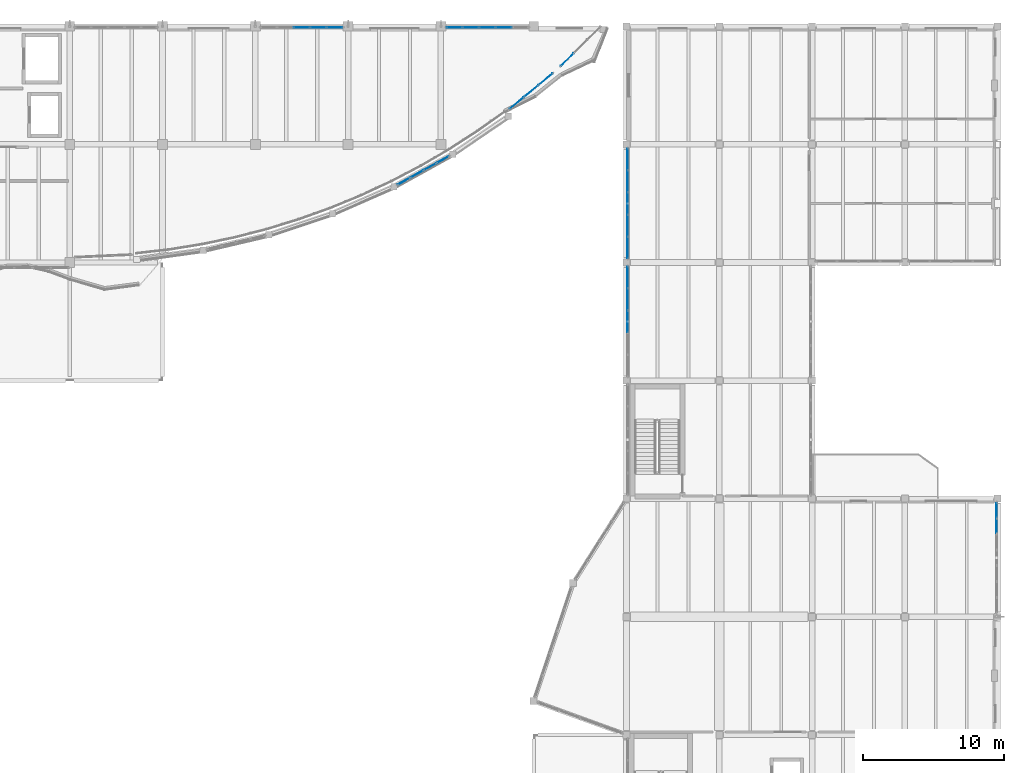
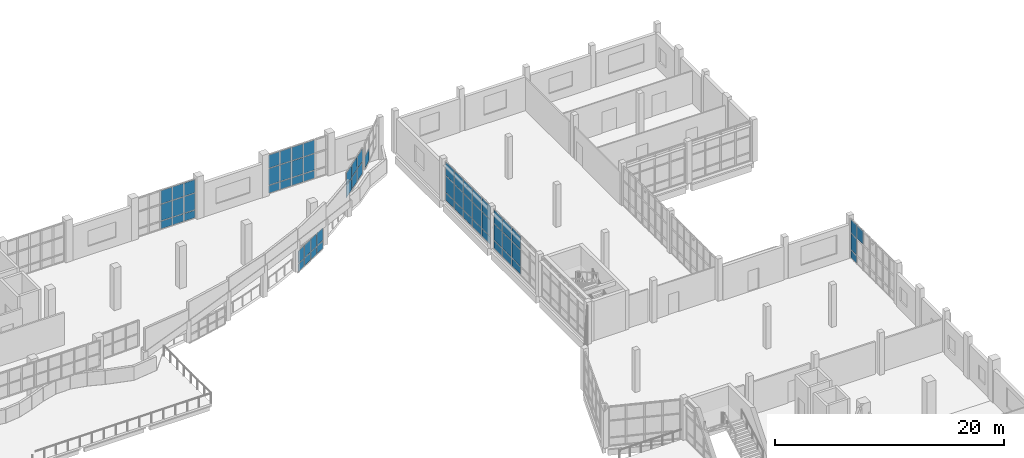
# One storey, part 46 of 83: 64 plates, 8 elements without a shape of their own.
"""IFC4 building model written with IfcOpenShell, lengths in metres."""

from ifc_helpers import new_model, si_unit, direction, frame, origin, origin_2d, place, context, subcontext, project, spatial, rectangle, extrude, material, layer, layer_set, type_object, element, aggregate, save


model = new_model("IFC4")

# Units and contexts
model_context = context("Model", 3, precision=1e-05, world=origin(), true_north=direction((0.0, 1.0)))
body_context = subcontext(model_context, "Body", "Model", "MODEL_VIEW")
ifc_project = project(units=[si_unit("LENGTHUNIT", "METRE"), si_unit("AREAUNIT", "SQUARE_METRE"), si_unit("VOLUMEUNIT", "CUBIC_METRE"), si_unit("PLANEANGLEUNIT", "RADIAN"), si_unit("MASSUNIT", "GRAM", prefix="KILO")], contexts=[model_context])

# Site, building, storey
site_placement = place(None, origin())
site = spatial("IfcSite", under=ifc_project, at=site_placement, CompositionType="ELEMENT")
building_placement = place(site_placement, origin())
building = spatial("IfcBuilding", under=site, at=building_placement, Name="Qaldarim Faculty of Natural and Applied Sciences", CompositionType="ELEMENT")
storey_placement = place(building_placement, frame((0.0, 0.0, 5.39990234375)))
storey = spatial("IfcBuildingStorey", under=building, at=storey_placement, Name="L01", CompositionType="ELEMENT", Elevation=5.39990234375)

# Curtain wall, plates
ifc_material_1 = material(Name="Anodised aluminium AW-6063", Category="aluminium")
curtain_wall_type_1 = type_object("IfcCurtainWallType", Name="CurtainWallSystem-M1200", PredefinedType="USERDEFINED", material=ifc_material_1)
curtain_wall_1_placement = place(storey_placement, origin())
curtain_wall_1 = element("IfcCurtainWall", 1, at=curtain_wall_1_placement, inside=storey, type_object=curtain_wall_type_1, Name="Curtain wall CW-L01-N-X20Y14", ObjectType="STICK CURTAIN WALL", PredefinedType="USERDEFINED")
ifc_material_2 = material(Name="Insulated low-e double glazing", Category="glass")
ifc_layer_1 = layer(ifc_material_2, 0.031982421875)
ifc_layer_set_1 = layer_set([ifc_layer_1], Name="Insulated low-e double glazing")
plate_type_1 = type_object("IfcPlateType", Name="SolarControlGlazingPanel-32", PredefinedType="CURTAIN_PANEL", material=ifc_layer_set_1)
plate_1_placement = place(storey_placement, frame((131.04638671875, 117.52001953125, 0.070068359375), z_axis=(0.0, 0.0, 1.0), x_axis=(-1.0, 0.0, 0.0)))
plate_1 = element("IfcPlate", 2, at=plate_1_placement, type_object=plate_type_1, Name="Glazed panel 1-1 of CW-L01-N-X20Y14", PredefinedType="CURTAIN_PANEL", context=body_context, shape_type="SweptSolid", body=[
    extrude(rectangle(XDim=1.076904296875, YDim=0.031982421875, at=origin_2d()), origin(), (0.0, 0.0, 1.0), 0.794921875),
])
plate_2_placement = place(storey_placement, frame((131.04638671875, 117.52001953125, 0.93505859375), z_axis=(0.0, 0.0, 1.0), x_axis=(-1.0, 0.0, 0.0)))
plate_2 = element("IfcPlate", 3, at=plate_2_placement, type_object=plate_type_1, Name="Glazed panel 1-2 of CW-L01-N-X20Y14", PredefinedType="CURTAIN_PANEL", context=body_context, shape_type="SweptSolid", body=[
    extrude(rectangle(XDim=1.076904296875, YDim=0.031982421875, at=origin_2d()), origin(), (0.0, 0.0, 1.0), 1.72998046875),
])
plate_3_placement = place(storey_placement, frame((131.04638671875, 117.52001953125, 2.735107421875), z_axis=(0.0, 0.0, 1.0), x_axis=(-1.0, 0.0, 0.0)))
plate_3 = element("IfcPlate", 4, at=plate_3_placement, type_object=plate_type_1, Name="Glazed panel 1-3 of CW-L01-N-X20Y14", PredefinedType="CURTAIN_PANEL", context=body_context, shape_type="SweptSolid", body=[
    extrude(rectangle(XDim=1.076904296875, YDim=0.031982421875, at=origin_2d()), origin(), (0.0, 0.0, 1.0), 1.39501953125),
])
plate_4_placement = place(storey_placement, frame((129.882080078125, 117.52001953125, 0.070068359375), z_axis=(0.0, 0.0, 1.0), x_axis=(-1.0, 0.0, 0.0)))
plate_4 = element("IfcPlate", 5, at=plate_4_placement, type_object=plate_type_1, Name="Glazed panel 2-1 of CW-L01-N-X20Y14", PredefinedType="CURTAIN_PANEL", context=body_context, shape_type="SweptSolid", body=[
    extrude(rectangle(XDim=1.112060546875, YDim=0.031982421875, at=origin_2d()), origin(), (0.0, 0.0, 1.0), 0.794921875),
])
plate_5_placement = place(storey_placement, frame((129.882080078125, 117.52001953125, 0.93505859375), z_axis=(0.0, 0.0, 1.0), x_axis=(-1.0, 0.0, 0.0)))
plate_5 = element("IfcPlate", 6, at=plate_5_placement, type_object=plate_type_1, Name="Glazed panel 2-2 of CW-L01-N-X20Y14", PredefinedType="CURTAIN_PANEL", context=body_context, shape_type="SweptSolid", body=[
    extrude(rectangle(XDim=1.112060546875, YDim=0.031982421875, at=origin_2d()), origin(), (0.0, 0.0, 1.0), 1.72998046875),
])
plate_6_placement = place(storey_placement, frame((129.882080078125, 117.52001953125, 2.735107421875), z_axis=(0.0, 0.0, 1.0), x_axis=(-1.0, 0.0, 0.0)))
plate_6 = element("IfcPlate", 7, at=plate_6_placement, type_object=plate_type_1, Name="Glazed panel 2-3 of CW-L01-N-X20Y14", PredefinedType="CURTAIN_PANEL", context=body_context, shape_type="SweptSolid", body=[
    extrude(rectangle(XDim=1.112060546875, YDim=0.031982421875, at=origin_2d()), origin(), (0.0, 0.0, 1.0), 1.39501953125),
])
plate_7_placement = place(storey_placement, frame((128.699951171875, 117.52001953125, 0.070068359375), z_axis=(0.0, 0.0, 1.0), x_axis=(-1.0, 0.0, 0.0)))
plate_7 = element("IfcPlate", 8, at=plate_7_placement, type_object=plate_type_1, Name="Glazed panel 3-1 of CW-L01-N-X20Y14", PredefinedType="CURTAIN_PANEL", context=body_context, shape_type="SweptSolid", body=[
    extrude(rectangle(XDim=1.112060546875, YDim=0.031982421875, at=origin_2d()), origin(), (0.0, 0.0, 1.0), 0.794921875),
])
plate_8_placement = place(storey_placement, frame((128.699951171875, 117.52001953125, 0.93505859375), z_axis=(0.0, 0.0, 1.0), x_axis=(-1.0, 0.0, 0.0)))
plate_8 = element("IfcPlate", 9, at=plate_8_placement, type_object=plate_type_1, Name="Glazed panel 3-2 of CW-L01-N-X20Y14", PredefinedType="CURTAIN_PANEL", context=body_context, shape_type="SweptSolid", body=[
    extrude(rectangle(XDim=1.112060546875, YDim=0.031982421875, at=origin_2d()), origin(), (0.0, 0.0, 1.0), 1.72998046875),
])
plate_9_placement = place(storey_placement, frame((128.699951171875, 117.52001953125, 2.735107421875), z_axis=(0.0, 0.0, 1.0), x_axis=(-1.0, 0.0, 0.0)))
plate_9 = element("IfcPlate", 10, at=plate_9_placement, type_object=plate_type_1, Name="Glazed panel 3-3 of CW-L01-N-X20Y14", PredefinedType="CURTAIN_PANEL", context=body_context, shape_type="SweptSolid", body=[
    extrude(rectangle(XDim=1.112060546875, YDim=0.031982421875, at=origin_2d()), origin(), (0.0, 0.0, 1.0), 1.39501953125),
])
aggregate(curtain_wall_1, [plate_1, plate_2, plate_3, plate_4, plate_5, plate_6, plate_7, plate_8, plate_9])

curtain_wall_2_placement = place(storey_placement, origin())
curtain_wall_2 = element("IfcCurtainWall", 11, at=curtain_wall_2_placement, inside=storey, type_object=curtain_wall_type_1, Name="Curtain wall CW-L01-N-X22Y14", ObjectType="STICK CURTAIN WALL", PredefinedType="USERDEFINED")
plate_10_placement = place(storey_placement, frame((143.08203125, 117.52001953125, 0.070068359375), z_axis=(0.0, 0.0, 1.0), x_axis=(-1.0, 0.0, 0.0)))
plate_10 = element("IfcPlate", 12, at=plate_10_placement, type_object=plate_type_1, Name="Glazed panel 2-1 of CW-L01-N-X22Y14", PredefinedType="CURTAIN_PANEL", context=body_context, shape_type="SweptSolid", body=[
    extrude(rectangle(XDim=1.112060546875, YDim=0.031982421875, at=origin_2d()), origin(), (0.0, 0.0, 1.0), 0.794921875),
])
plate_11_placement = place(storey_placement, frame((143.08203125, 117.52001953125, 0.93505859375), z_axis=(0.0, 0.0, 1.0), x_axis=(-1.0, 0.0, 0.0)))
plate_11 = element("IfcPlate", 13, at=plate_11_placement, type_object=plate_type_1, Name="Glazed panel 2-2 of CW-L01-N-X22Y14", PredefinedType="CURTAIN_PANEL", context=body_context, shape_type="SweptSolid", body=[
    extrude(rectangle(XDim=1.112060546875, YDim=0.031982421875, at=origin_2d()), origin(), (0.0, 0.0, 1.0), 1.72998046875),
])
plate_12_placement = place(storey_placement, frame((143.08203125, 117.52001953125, 2.735107421875), z_axis=(0.0, 0.0, 1.0), x_axis=(-1.0, 0.0, 0.0)))
plate_12 = element("IfcPlate", 14, at=plate_12_placement, type_object=plate_type_1, Name="Glazed panel 2-3 of CW-L01-N-X22Y14", PredefinedType="CURTAIN_PANEL", context=body_context, shape_type="SweptSolid", body=[
    extrude(rectangle(XDim=1.112060546875, YDim=0.031982421875, at=origin_2d()), origin(), (0.0, 0.0, 1.0), 1.39501953125),
])
plate_13_placement = place(storey_placement, frame((141.89990234375, 117.52001953125, 0.070068359375), z_axis=(0.0, 0.0, 1.0), x_axis=(-1.0, 0.0, 0.0)))
plate_13 = element("IfcPlate", 15, at=plate_13_placement, type_object=plate_type_1, Name="Glazed panel 3-1 of CW-L01-N-X22Y14", PredefinedType="CURTAIN_PANEL", context=body_context, shape_type="SweptSolid", body=[
    extrude(rectangle(XDim=1.112060546875, YDim=0.031982421875, at=origin_2d()), origin(), (0.0, 0.0, 1.0), 0.794921875),
])
plate_14_placement = place(storey_placement, frame((141.89990234375, 117.52001953125, 0.93505859375), z_axis=(0.0, 0.0, 1.0), x_axis=(-1.0, 0.0, 0.0)))
plate_14 = element("IfcPlate", 16, at=plate_14_placement, type_object=plate_type_1, Name="Glazed panel 3-2 of CW-L01-N-X22Y14", PredefinedType="CURTAIN_PANEL", context=body_context, shape_type="SweptSolid", body=[
    extrude(rectangle(XDim=1.112060546875, YDim=0.031982421875, at=origin_2d()), origin(), (0.0, 0.0, 1.0), 1.72998046875),
])
plate_15_placement = place(storey_placement, frame((141.89990234375, 117.52001953125, 2.735107421875), z_axis=(0.0, 0.0, 1.0), x_axis=(-1.0, 0.0, 0.0)))
plate_15 = element("IfcPlate", 17, at=plate_15_placement, type_object=plate_type_1, Name="Glazed panel 3-3 of CW-L01-N-X22Y14", PredefinedType="CURTAIN_PANEL", context=body_context, shape_type="SweptSolid", body=[
    extrude(rectangle(XDim=1.112060546875, YDim=0.031982421875, at=origin_2d()), origin(), (0.0, 0.0, 1.0), 1.39501953125),
])
plate_16_placement = place(storey_placement, frame((140.718017578125, 117.52001953125, 0.070068359375), z_axis=(0.0, 0.0, 1.0), x_axis=(-1.0, 0.0, 0.0)))
plate_16 = element("IfcPlate", 18, at=plate_16_placement, type_object=plate_type_1, Name="Glazed panel 4-1 of CW-L01-N-X22Y14", PredefinedType="CURTAIN_PANEL", context=body_context, shape_type="SweptSolid", body=[
    extrude(rectangle(XDim=1.112060546875, YDim=0.031982421875, at=origin_2d()), origin(), (0.0, 0.0, 1.0), 0.794921875),
])
plate_17_placement = place(storey_placement, frame((140.718017578125, 117.52001953125, 0.93505859375), z_axis=(0.0, 0.0, 1.0), x_axis=(-1.0, 0.0, 0.0)))
plate_17 = element("IfcPlate", 19, at=plate_17_placement, type_object=plate_type_1, Name="Glazed panel 4-2 of CW-L01-N-X22Y14", PredefinedType="CURTAIN_PANEL", context=body_context, shape_type="SweptSolid", body=[
    extrude(rectangle(XDim=1.112060546875, YDim=0.031982421875, at=origin_2d()), origin(), (0.0, 0.0, 1.0), 1.72998046875),
])
plate_18_placement = place(storey_placement, frame((140.718017578125, 117.52001953125, 2.735107421875), z_axis=(0.0, 0.0, 1.0), x_axis=(-1.0, 0.0, 0.0)))
plate_18 = element("IfcPlate", 20, at=plate_18_placement, type_object=plate_type_1, Name="Glazed panel 4-3 of CW-L01-N-X22Y14", PredefinedType="CURTAIN_PANEL", context=body_context, shape_type="SweptSolid", body=[
    extrude(rectangle(XDim=1.112060546875, YDim=0.031982421875, at=origin_2d()), origin(), (0.0, 0.0, 1.0), 1.39501953125),
])
plate_19_placement = place(storey_placement, frame((139.553466796875, 117.52001953125, 0.070068359375), z_axis=(0.0, 0.0, 1.0), x_axis=(-1.0, 0.0, 0.0)))
plate_19 = element("IfcPlate", 21, at=plate_19_placement, type_object=plate_type_1, Name="Glazed panel 5-1 of CW-L01-N-X22Y14", PredefinedType="CURTAIN_PANEL", context=body_context, shape_type="SweptSolid", body=[
    extrude(rectangle(XDim=1.076904296875, YDim=0.031982421875, at=origin_2d()), origin(), (0.0, 0.0, 1.0), 0.794921875),
])
plate_20_placement = place(storey_placement, frame((139.553466796875, 117.52001953125, 0.93505859375), z_axis=(0.0, 0.0, 1.0), x_axis=(-1.0, 0.0, 0.0)))
plate_20 = element("IfcPlate", 22, at=plate_20_placement, type_object=plate_type_1, Name="Glazed panel 5-2 of CW-L01-N-X22Y14", PredefinedType="CURTAIN_PANEL", context=body_context, shape_type="SweptSolid", body=[
    extrude(rectangle(XDim=1.076904296875, YDim=0.031982421875, at=origin_2d()), origin(), (0.0, 0.0, 1.0), 1.72998046875),
])
plate_21_placement = place(storey_placement, frame((139.553466796875, 117.52001953125, 2.735107421875), z_axis=(0.0, 0.0, 1.0), x_axis=(-1.0, 0.0, 0.0)))
plate_21 = element("IfcPlate", 23, at=plate_21_placement, type_object=plate_type_1, Name="Glazed panel 5-3 of CW-L01-N-X22Y14", PredefinedType="CURTAIN_PANEL", context=body_context, shape_type="SweptSolid", body=[
    extrude(rectangle(XDim=1.076904296875, YDim=0.031982421875, at=origin_2d()), origin(), (0.0, 0.0, 1.0), 1.39501953125),
])
aggregate(curtain_wall_2, [plate_10, plate_11, plate_12, plate_13, plate_14, plate_15, plate_16, plate_17, plate_18, plate_19, plate_20, plate_21])

curtain_wall_3_placement = place(storey_placement, origin())
curtain_wall_3 = element("IfcCurtainWall", 24, at=curtain_wall_3_placement, inside=storey, type_object=curtain_wall_type_1, Name="Curtain wall CW-L01-E-X27Y10", ObjectType="STICK CURTAIN WALL", PredefinedType="USERDEFINED")
plate_22_placement = place(storey_placement, frame((178.1201171875, 82.06005859375, 2.735107421875), z_axis=(0.0, 0.0, 1.0), x_axis=(0.0, 1.0, 0.0)))
plate_22 = element("IfcPlate", 25, at=plate_22_placement, type_object=plate_type_1, Name="Glazed panel 6-3 of CW-L01-E-X27Y10", PredefinedType="CURTAIN_PANEL", context=body_context, shape_type="SweptSolid", body=[
    extrude(rectangle(XDim=1.06005859375, YDim=0.031982421875, at=origin_2d()), origin(), (0.0, 0.0, 1.0), 1.39501953125),
])
plate_23_placement = place(storey_placement, frame((178.1201171875, 83.172607421875, 0.070068359375), z_axis=(0.0, 0.0, 1.0), x_axis=(0.0, 1.0, 0.0)))
plate_23 = element("IfcPlate", 26, at=plate_23_placement, type_object=plate_type_1, Name="Glazed panel 7-1 of CW-L01-E-X27Y10", PredefinedType="CURTAIN_PANEL", context=body_context, shape_type="SweptSolid", body=[
    extrude(rectangle(XDim=1.02490234375, YDim=0.031982421875, at=origin_2d()), origin(), (0.0, 0.0, 1.0), 0.794921875),
])
plate_24_placement = place(storey_placement, frame((178.1201171875, 83.172607421875, 0.93505859375), z_axis=(0.0, 0.0, 1.0), x_axis=(0.0, 1.0, 0.0)))
plate_24 = element("IfcPlate", 27, at=plate_24_placement, type_object=plate_type_1, Name="Glazed panel 7-2 of CW-L01-E-X27Y10", PredefinedType="CURTAIN_PANEL", context=body_context, shape_type="SweptSolid", body=[
    extrude(rectangle(XDim=1.02490234375, YDim=0.031982421875, at=origin_2d()), origin(), (0.0, 0.0, 1.0), 1.72998046875),
])
plate_25_placement = place(storey_placement, frame((178.1201171875, 83.172607421875, 2.735107421875), z_axis=(0.0, 0.0, 1.0), x_axis=(0.0, 1.0, 0.0)))
plate_25 = element("IfcPlate", 28, at=plate_25_placement, type_object=plate_type_1, Name="Glazed panel 7-3 of CW-L01-E-X27Y10", PredefinedType="CURTAIN_PANEL", context=body_context, shape_type="SweptSolid", body=[
    extrude(rectangle(XDim=1.02490234375, YDim=0.031982421875, at=origin_2d()), origin(), (0.0, 0.0, 1.0), 1.39501953125),
])
aggregate(curtain_wall_3, [plate_22, plate_23, plate_24, plate_25])

curtain_wall_4_placement = place(storey_placement, origin())
curtain_wall_4 = element("IfcCurtainWall", 29, at=curtain_wall_4_placement, inside=storey, type_object=curtain_wall_type_1, Name="Curtain wall CW-PORT-TOP-5", ObjectType="STICK CURTAIN WALL", PredefinedType="USERDEFINED")
plate_26_placement = place(storey_placement, frame((135.9677734375, 106.5830078125, -0.289794921875), z_axis=(0.0, 0.0, 1.0), x_axis=(0.874433489139, 0.485145414358, 0.0)))
plate_26 = element("IfcPlate", 30, at=plate_26_placement, type_object=plate_type_1, Name="Glazed panel 1-1 of CW-PORT-TOP-5", PredefinedType="CURTAIN_PANEL", context=body_context, shape_type="SweptSolid", body=[
    extrude(rectangle(XDim=0.96435546875, YDim=0.031982421875, at=origin_2d()), origin(), (0.0, 0.0, 1.0), 0.794921875),
])
plate_27_placement = place(storey_placement, frame((135.9677734375, 106.5830078125, 0.5751953125), z_axis=(0.0, 0.0, 1.0), x_axis=(0.874433489139, 0.485145414358, 0.0)))
plate_27 = element("IfcPlate", 31, at=plate_27_placement, type_object=plate_type_1, Name="Glazed panel 1-2 of CW-PORT-TOP-5", PredefinedType="CURTAIN_PANEL", context=body_context, shape_type="SweptSolid", body=[
    extrude(rectangle(XDim=0.96435546875, YDim=0.031982421875, at=origin_2d()), origin(), (0.0, 0.0, 1.0), 1.31494140625),
])
plate_28_placement = place(storey_placement, frame((136.887451171875, 107.093017578125, -0.289794921875), z_axis=(0.0, 0.0, 1.0), x_axis=(0.874433489139, 0.485145414358, 0.0)))
plate_28 = element("IfcPlate", 32, at=plate_28_placement, type_object=plate_type_1, Name="Glazed panel 2-1 of CW-PORT-TOP-5", PredefinedType="CURTAIN_PANEL", context=body_context, shape_type="SweptSolid", body=[
    extrude(rectangle(XDim=0.999267578125, YDim=0.031982421875, at=origin_2d()), origin(), (0.0, 0.0, 1.0), 0.794921875),
])
plate_29_placement = place(storey_placement, frame((136.887451171875, 107.093017578125, 0.5751953125), z_axis=(0.0, 0.0, 1.0), x_axis=(0.874433489139, 0.485145414358, 0.0)))
plate_29 = element("IfcPlate", 33, at=plate_29_placement, type_object=plate_type_1, Name="Glazed panel 2-2 of CW-PORT-TOP-5", PredefinedType="CURTAIN_PANEL", context=body_context, shape_type="SweptSolid", body=[
    extrude(rectangle(XDim=0.999267578125, YDim=0.031982421875, at=origin_2d()), origin(), (0.0, 0.0, 1.0), 1.31494140625),
])
plate_30_placement = place(storey_placement, frame((137.822509765625, 107.61181640625, -0.289794921875), z_axis=(0.0, 0.0, 1.0), x_axis=(0.874433489139, 0.485145414358, 0.0)))
plate_30 = element("IfcPlate", 34, at=plate_30_placement, type_object=plate_type_1, Name="Glazed panel 3-1 of CW-PORT-TOP-5", PredefinedType="CURTAIN_PANEL", context=body_context, shape_type="SweptSolid", body=[
    extrude(rectangle(XDim=0.999267578125, YDim=0.031982421875, at=origin_2d()), origin(), (0.0, 0.0, 1.0), 0.794921875),
])
plate_31_placement = place(storey_placement, frame((137.822509765625, 107.61181640625, 0.5751953125), z_axis=(0.0, 0.0, 1.0), x_axis=(0.874433489139, 0.485145414358, 0.0)))
plate_31 = element("IfcPlate", 35, at=plate_31_placement, type_object=plate_type_1, Name="Glazed panel 3-2 of CW-PORT-TOP-5", PredefinedType="CURTAIN_PANEL", context=body_context, shape_type="SweptSolid", body=[
    extrude(rectangle(XDim=0.999267578125, YDim=0.031982421875, at=origin_2d()), origin(), (0.0, 0.0, 1.0), 1.31494140625),
])
plate_32_placement = place(storey_placement, frame((138.7421875, 108.1220703125, -0.289794921875), z_axis=(0.0, 0.0, 1.0), x_axis=(0.874433489139, 0.485145414358, 0.0)))
plate_32 = element("IfcPlate", 36, at=plate_32_placement, type_object=plate_type_1, Name="Glazed panel 4-1 of CW-PORT-TOP-5", PredefinedType="CURTAIN_PANEL", context=body_context, shape_type="SweptSolid", body=[
    extrude(rectangle(XDim=0.96435546875, YDim=0.031982421875, at=origin_2d()), origin(), (0.0, 0.0, 1.0), 0.794921875),
])
plate_33_placement = place(storey_placement, frame((138.7421875, 108.1220703125, 0.5751953125), z_axis=(0.0, 0.0, 1.0), x_axis=(0.874433489139, 0.485145414358, 0.0)))
plate_33 = element("IfcPlate", 37, at=plate_33_placement, type_object=plate_type_1, Name="Glazed panel 4-2 of CW-PORT-TOP-5", PredefinedType="CURTAIN_PANEL", context=body_context, shape_type="SweptSolid", body=[
    extrude(rectangle(XDim=0.96435546875, YDim=0.031982421875, at=origin_2d()), origin(), (0.0, 0.0, 1.0), 1.31494140625),
])
aggregate(curtain_wall_4, [plate_26, plate_27, plate_28, plate_29, plate_30, plate_31, plate_32, plate_33])

curtain_wall_type_2 = type_object("IfcCurtainWallType", Name="CurtainWallSystem-M1600", PredefinedType="USERDEFINED", material=ifc_material_1)
curtain_wall_5_placement = place(storey_placement, origin())
curtain_wall_5 = element("IfcCurtainWall", 38, at=curtain_wall_5_placement, inside=storey, type_object=curtain_wall_type_2, Name="Curtain wall CW-L01-W-X24Y12", ObjectType="UNITISED FACADE", PredefinedType="USERDEFINED")
ifc_layer_2 = layer(ifc_material_2, 0.028076171875)
ifc_layer_set_2 = layer_set([ifc_layer_2], Name="Insulated low-e double glazing")
plate_type_2 = type_object("IfcPlateType", Name="VisionGlazingPanel-28", PredefinedType="CURTAIN_PANEL", material=ifc_layer_set_2)
plate_34_placement = place(storey_placement, frame((151.8798828125, 99.7490234375, 0.06005859375), z_axis=(0.0, 0.0, 1.0), x_axis=(0.0, -1.0, 0.0)))
plate_34 = element("IfcPlate", 39, at=plate_34_placement, type_object=plate_type_2, Name="Glazed panel 1-1 of CW-L01-W-X24Y12", PredefinedType="CURTAIN_PANEL", context=body_context, shape_type="SweptSolid", body=[
    extrude(rectangle(XDim=1.491943359375, YDim=0.028076171875, at=origin_2d()), origin(), (0.0, 0.0, 1.0), 0.81005859375),
])
plate_35_placement = place(storey_placement, frame((151.8798828125, 99.7490234375, 0.93017578125), z_axis=(0.0, 0.0, 1.0), x_axis=(0.0, -1.0, 0.0)))
plate_35 = element("IfcPlate", 40, at=plate_35_placement, type_object=plate_type_2, Name="Glazed panel 1-2 of CW-L01-W-X24Y12", PredefinedType="CURTAIN_PANEL", context=body_context, shape_type="SweptSolid", body=[
    extrude(rectangle(XDim=1.491943359375, YDim=0.028076171875, at=origin_2d()), origin(), (0.0, 0.0, 1.0), 1.739990234375),
])
plate_36_placement = place(storey_placement, frame((151.8798828125, 99.7490234375, 2.72998046875), z_axis=(0.0, 0.0, 1.0), x_axis=(0.0, -1.0, 0.0)))
plate_36 = element("IfcPlate", 41, at=plate_36_placement, type_object=plate_type_2, Name="Glazed panel 1-3 of CW-L01-W-X24Y12", PredefinedType="CURTAIN_PANEL", context=body_context, shape_type="SweptSolid", body=[
    extrude(rectangle(XDim=1.491943359375, YDim=0.028076171875, at=origin_2d()), origin(), (0.0, 0.0, 1.0), 1.409912109375),
])
plate_37_placement = place(storey_placement, frame((151.8798828125, 98.181884765625, 0.06005859375), z_axis=(0.0, 0.0, 1.0), x_axis=(0.0, -1.0, 0.0)))
plate_37 = element("IfcPlate", 42, at=plate_37_placement, type_object=plate_type_2, Name="Glazed panel 2-1 of CW-L01-W-X24Y12", PredefinedType="CURTAIN_PANEL", context=body_context, shape_type="SweptSolid", body=[
    extrude(rectangle(XDim=1.52197265625, YDim=0.028076171875, at=origin_2d()), origin(), (0.0, 0.0, 1.0), 0.81005859375),
])
plate_38_placement = place(storey_placement, frame((151.8798828125, 98.181884765625, 0.93017578125), z_axis=(0.0, 0.0, 1.0), x_axis=(0.0, -1.0, 0.0)))
plate_38 = element("IfcPlate", 43, at=plate_38_placement, type_object=plate_type_2, Name="Glazed panel 2-2 of CW-L01-W-X24Y12", PredefinedType="CURTAIN_PANEL", context=body_context, shape_type="SweptSolid", body=[
    extrude(rectangle(XDim=1.52197265625, YDim=0.028076171875, at=origin_2d()), origin(), (0.0, 0.0, 1.0), 1.739990234375),
])
plate_39_placement = place(storey_placement, frame((151.8798828125, 98.181884765625, 2.72998046875), z_axis=(0.0, 0.0, 1.0), x_axis=(0.0, -1.0, 0.0)))
plate_39 = element("IfcPlate", 44, at=plate_39_placement, type_object=plate_type_2, Name="Glazed panel 2-3 of CW-L01-W-X24Y12", PredefinedType="CURTAIN_PANEL", context=body_context, shape_type="SweptSolid", body=[
    extrude(rectangle(XDim=1.52197265625, YDim=0.028076171875, at=origin_2d()), origin(), (0.0, 0.0, 1.0), 1.409912109375),
])
plate_40_placement = place(storey_placement, frame((151.8798828125, 96.60009765625, 0.06005859375), z_axis=(0.0, 0.0, 1.0), x_axis=(0.0, -1.0, 0.0)))
plate_40 = element("IfcPlate", 45, at=plate_40_placement, type_object=plate_type_2, Name="Glazed panel 3-1 of CW-L01-W-X24Y12", PredefinedType="CURTAIN_PANEL", context=body_context, shape_type="SweptSolid", body=[
    extrude(rectangle(XDim=1.52197265625, YDim=0.028076171875, at=origin_2d()), origin(), (0.0, 0.0, 1.0), 0.81005859375),
])
plate_41_placement = place(storey_placement, frame((151.8798828125, 96.60009765625, 0.93017578125), z_axis=(0.0, 0.0, 1.0), x_axis=(0.0, -1.0, 0.0)))
plate_41 = element("IfcPlate", 46, at=plate_41_placement, type_object=plate_type_2, Name="Glazed panel 3-2 of CW-L01-W-X24Y12", PredefinedType="CURTAIN_PANEL", context=body_context, shape_type="SweptSolid", body=[
    extrude(rectangle(XDim=1.52197265625, YDim=0.028076171875, at=origin_2d()), origin(), (0.0, 0.0, 1.0), 1.739990234375),
])
plate_42_placement = place(storey_placement, frame((151.8798828125, 96.60009765625, 2.72998046875), z_axis=(0.0, 0.0, 1.0), x_axis=(0.0, -1.0, 0.0)))
plate_42 = element("IfcPlate", 47, at=plate_42_placement, type_object=plate_type_2, Name="Glazed panel 3-3 of CW-L01-W-X24Y12", PredefinedType="CURTAIN_PANEL", context=body_context, shape_type="SweptSolid", body=[
    extrude(rectangle(XDim=1.52197265625, YDim=0.028076171875, at=origin_2d()), origin(), (0.0, 0.0, 1.0), 1.409912109375),
])
aggregate(curtain_wall_5, [plate_34, plate_35, plate_36, plate_37, plate_38, plate_39, plate_40, plate_41, plate_42])

curtain_wall_6_placement = place(storey_placement, origin())
curtain_wall_6 = element("IfcCurtainWall", 48, at=curtain_wall_6_placement, inside=storey, type_object=curtain_wall_type_2, Name="Curtain wall CW-L01-W-X24Y13", ObjectType="UNITISED FACADE", PredefinedType="USERDEFINED")
plate_43_placement = place(storey_placement, frame((151.8798828125, 108.14892578125, 0.06005859375), z_axis=(0.0, 0.0, 1.0), x_axis=(0.0, -1.0, 0.0)))
plate_43 = element("IfcPlate", 49, at=plate_43_placement, type_object=plate_type_2, Name="Glazed panel 1-1 of CW-L01-W-X24Y13", PredefinedType="CURTAIN_PANEL", context=body_context, shape_type="SweptSolid", body=[
    extrude(rectangle(XDim=1.491943359375, YDim=0.028076171875, at=origin_2d()), origin(), (0.0, 0.0, 1.0), 0.81005859375),
])
plate_44_placement = place(storey_placement, frame((151.8798828125, 108.14892578125, 0.93017578125), z_axis=(0.0, 0.0, 1.0), x_axis=(0.0, -1.0, 0.0)))
plate_44 = element("IfcPlate", 50, at=plate_44_placement, type_object=plate_type_2, Name="Glazed panel 1-2 of CW-L01-W-X24Y13", PredefinedType="CURTAIN_PANEL", context=body_context, shape_type="SweptSolid", body=[
    extrude(rectangle(XDim=1.491943359375, YDim=0.028076171875, at=origin_2d()), origin(), (0.0, 0.0, 1.0), 1.739990234375),
])
plate_45_placement = place(storey_placement, frame((151.8798828125, 108.14892578125, 2.72998046875), z_axis=(0.0, 0.0, 1.0), x_axis=(0.0, -1.0, 0.0)))
plate_45 = element("IfcPlate", 51, at=plate_45_placement, type_object=plate_type_2, Name="Glazed panel 1-3 of CW-L01-W-X24Y13", PredefinedType="CURTAIN_PANEL", context=body_context, shape_type="SweptSolid", body=[
    extrude(rectangle(XDim=1.491943359375, YDim=0.028076171875, at=origin_2d()), origin(), (0.0, 0.0, 1.0), 1.409912109375),
])
plate_46_placement = place(storey_placement, frame((151.8798828125, 106.58203125, 0.06005859375), z_axis=(0.0, 0.0, 1.0), x_axis=(0.0, -1.0, 0.0)))
plate_46 = element("IfcPlate", 52, at=plate_46_placement, type_object=plate_type_2, Name="Glazed panel 2-1 of CW-L01-W-X24Y13", PredefinedType="CURTAIN_PANEL", context=body_context, shape_type="SweptSolid", body=[
    extrude(rectangle(XDim=1.52197265625, YDim=0.028076171875, at=origin_2d()), origin(), (0.0, 0.0, 1.0), 0.81005859375),
])
plate_47_placement = place(storey_placement, frame((151.8798828125, 106.58203125, 0.93017578125), z_axis=(0.0, 0.0, 1.0), x_axis=(0.0, -1.0, 0.0)))
plate_47 = element("IfcPlate", 53, at=plate_47_placement, type_object=plate_type_2, Name="Glazed panel 2-2 of CW-L01-W-X24Y13", PredefinedType="CURTAIN_PANEL", context=body_context, shape_type="SweptSolid", body=[
    extrude(rectangle(XDim=1.52197265625, YDim=0.028076171875, at=origin_2d()), origin(), (0.0, 0.0, 1.0), 1.739990234375),
])
plate_48_placement = place(storey_placement, frame((151.8798828125, 106.58203125, 2.72998046875), z_axis=(0.0, 0.0, 1.0), x_axis=(0.0, -1.0, 0.0)))
plate_48 = element("IfcPlate", 54, at=plate_48_placement, type_object=plate_type_2, Name="Glazed panel 2-3 of CW-L01-W-X24Y13", PredefinedType="CURTAIN_PANEL", context=body_context, shape_type="SweptSolid", body=[
    extrude(rectangle(XDim=1.52197265625, YDim=0.028076171875, at=origin_2d()), origin(), (0.0, 0.0, 1.0), 1.409912109375),
])
plate_49_placement = place(storey_placement, frame((151.8798828125, 105.0, 0.06005859375), z_axis=(0.0, 0.0, 1.0), x_axis=(0.0, -1.0, 0.0)))
plate_49 = element("IfcPlate", 55, at=plate_49_placement, type_object=plate_type_2, Name="Glazed panel 3-1 of CW-L01-W-X24Y13", PredefinedType="CURTAIN_PANEL", context=body_context, shape_type="SweptSolid", body=[
    extrude(rectangle(XDim=1.52197265625, YDim=0.028076171875, at=origin_2d()), origin(), (0.0, 0.0, 1.0), 0.81005859375),
])
plate_50_placement = place(storey_placement, frame((151.8798828125, 105.0, 0.93017578125), z_axis=(0.0, 0.0, 1.0), x_axis=(0.0, -1.0, 0.0)))
plate_50 = element("IfcPlate", 56, at=plate_50_placement, type_object=plate_type_2, Name="Glazed panel 3-2 of CW-L01-W-X24Y13", PredefinedType="CURTAIN_PANEL", context=body_context, shape_type="SweptSolid", body=[
    extrude(rectangle(XDim=1.52197265625, YDim=0.028076171875, at=origin_2d()), origin(), (0.0, 0.0, 1.0), 1.739990234375),
])
plate_51_placement = place(storey_placement, frame((151.8798828125, 105.0, 2.72998046875), z_axis=(0.0, 0.0, 1.0), x_axis=(0.0, -1.0, 0.0)))
plate_51 = element("IfcPlate", 57, at=plate_51_placement, type_object=plate_type_2, Name="Glazed panel 3-3 of CW-L01-W-X24Y13", PredefinedType="CURTAIN_PANEL", context=body_context, shape_type="SweptSolid", body=[
    extrude(rectangle(XDim=1.52197265625, YDim=0.028076171875, at=origin_2d()), origin(), (0.0, 0.0, 1.0), 1.409912109375),
])
plate_52_placement = place(storey_placement, frame((151.8798828125, 103.41796875, 0.06005859375), z_axis=(0.0, 0.0, 1.0), x_axis=(0.0, -1.0, 0.0)))
plate_52 = element("IfcPlate", 58, at=plate_52_placement, type_object=plate_type_2, Name="Glazed panel 4-1 of CW-L01-W-X24Y13", PredefinedType="CURTAIN_PANEL", context=body_context, shape_type="SweptSolid", body=[
    extrude(rectangle(XDim=1.52197265625, YDim=0.028076171875, at=origin_2d()), origin(), (0.0, 0.0, 1.0), 0.81005859375),
])
plate_53_placement = place(storey_placement, frame((151.8798828125, 103.41796875, 0.93017578125), z_axis=(0.0, 0.0, 1.0), x_axis=(0.0, -1.0, 0.0)))
plate_53 = element("IfcPlate", 59, at=plate_53_placement, type_object=plate_type_2, Name="Glazed panel 4-2 of CW-L01-W-X24Y13", PredefinedType="CURTAIN_PANEL", context=body_context, shape_type="SweptSolid", body=[
    extrude(rectangle(XDim=1.52197265625, YDim=0.028076171875, at=origin_2d()), origin(), (0.0, 0.0, 1.0), 1.739990234375),
])
plate_54_placement = place(storey_placement, frame((151.8798828125, 103.41796875, 2.72998046875), z_axis=(0.0, 0.0, 1.0), x_axis=(0.0, -1.0, 0.0)))
plate_54 = element("IfcPlate", 60, at=plate_54_placement, type_object=plate_type_2, Name="Glazed panel 4-3 of CW-L01-W-X24Y13", PredefinedType="CURTAIN_PANEL", context=body_context, shape_type="SweptSolid", body=[
    extrude(rectangle(XDim=1.52197265625, YDim=0.028076171875, at=origin_2d()), origin(), (0.0, 0.0, 1.0), 1.409912109375),
])
plate_55_placement = place(storey_placement, frame((151.8798828125, 101.85107421875, 0.06005859375), z_axis=(0.0, 0.0, 1.0), x_axis=(0.0, -1.0, 0.0)))
plate_55 = element("IfcPlate", 61, at=plate_55_placement, type_object=plate_type_2, Name="Glazed panel 5-1 of CW-L01-W-X24Y13", PredefinedType="CURTAIN_PANEL", context=body_context, shape_type="SweptSolid", body=[
    extrude(rectangle(XDim=1.491943359375, YDim=0.028076171875, at=origin_2d()), origin(), (0.0, 0.0, 1.0), 0.81005859375),
])
plate_56_placement = place(storey_placement, frame((151.8798828125, 101.85107421875, 0.93017578125), z_axis=(0.0, 0.0, 1.0), x_axis=(0.0, -1.0, 0.0)))
plate_56 = element("IfcPlate", 62, at=plate_56_placement, type_object=plate_type_2, Name="Glazed panel 5-2 of CW-L01-W-X24Y13", PredefinedType="CURTAIN_PANEL", context=body_context, shape_type="SweptSolid", body=[
    extrude(rectangle(XDim=1.491943359375, YDim=0.028076171875, at=origin_2d()), origin(), (0.0, 0.0, 1.0), 1.739990234375),
])
plate_57_placement = place(storey_placement, frame((151.8798828125, 101.85107421875, 2.72998046875), z_axis=(0.0, 0.0, 1.0), x_axis=(0.0, -1.0, 0.0)))
plate_57 = element("IfcPlate", 63, at=plate_57_placement, type_object=plate_type_2, Name="Glazed panel 5-3 of CW-L01-W-X24Y13", PredefinedType="CURTAIN_PANEL", context=body_context, shape_type="SweptSolid", body=[
    extrude(rectangle(XDim=1.491943359375, YDim=0.028076171875, at=origin_2d()), origin(), (0.0, 0.0, 1.0), 1.409912109375),
])
aggregate(curtain_wall_6, [plate_43, plate_44, plate_45, plate_46, plate_47, plate_48, plate_49, plate_50, plate_51, plate_52, plate_53, plate_54, plate_55, plate_56, plate_57])

curtain_wall_type_3 = type_object("IfcCurtainWallType", Name="CurtainWallSystem-M1400", PredefinedType="USERDEFINED", material=ifc_material_1)
curtain_wall_7_placement = place(storey_placement, origin())
curtain_wall_7 = element("IfcCurtainWall", 64, at=curtain_wall_7_placement, inside=storey, type_object=curtain_wall_type_3, Name="Curtain wall CW-V4ARC-L01-14", ObjectType="STICK CURTAIN WALL", PredefinedType="USERDEFINED")
plate_58_placement = place(storey_placement, frame((143.9873046875, 112.138671875, 1.51025390625), z_axis=(0.0, 0.0, 1.0), x_axis=(0.771746687418, 0.635930067271, 0.0)))
plate_58 = element("IfcPlate", 65, at=plate_58_placement, type_object=plate_type_2, Name="Glazed panel 1-1 of CW-V4ARC-L01-14", PredefinedType="CURTAIN_PANEL", context=body_context, shape_type="SweptSolid", body=[
    extrude(rectangle(XDim=1.259765625, YDim=0.028076171875, at=origin_2d()), origin(), (0.0, 0.0, 1.0), 1.260009765625),
])
plate_59_placement = place(storey_placement, frame((143.9873046875, 112.138671875, 2.830078125), z_axis=(0.0, 0.0, 1.0), x_axis=(0.771746687418, 0.635930067271, 0.0)))
plate_59 = element("IfcPlate", 66, at=plate_59_placement, type_object=plate_type_2, Name="Glazed panel 1-2 of CW-V4ARC-L01-14", PredefinedType="CURTAIN_PANEL", context=body_context, shape_type="SweptSolid", body=[
    extrude(rectangle(XDim=1.259765625, YDim=0.028076171875, at=origin_2d()), origin(), (0.0, 0.0, 1.0), 1.31005859375),
])
plate_60_placement = place(storey_placement, frame((145.017578125, 112.987548828125, 1.51025390625), z_axis=(0.0, 0.0, 1.0), x_axis=(0.771746687418, 0.635930067271, 0.0)))
plate_60 = element("IfcPlate", 67, at=plate_60_placement, type_object=plate_type_2, Name="Glazed panel 2-1 of CW-V4ARC-L01-14", PredefinedType="CURTAIN_PANEL", context=body_context, shape_type="SweptSolid", body=[
    extrude(rectangle(XDim=1.289794921875, YDim=0.028076171875, at=origin_2d()), origin(), (0.0, 0.0, 1.0), 1.260009765625),
])
plate_61_placement = place(storey_placement, frame((145.017578125, 112.987548828125, 2.830078125), z_axis=(0.0, 0.0, 1.0), x_axis=(0.771746687418, 0.635930067271, 0.0)))
plate_61 = element("IfcPlate", 68, at=plate_61_placement, type_object=plate_type_2, Name="Glazed panel 2-2 of CW-V4ARC-L01-14", PredefinedType="CURTAIN_PANEL", context=body_context, shape_type="SweptSolid", body=[
    extrude(rectangle(XDim=1.289794921875, YDim=0.028076171875, at=origin_2d()), origin(), (0.0, 0.0, 1.0), 1.31005859375),
])
plate_62_placement = place(storey_placement, frame((146.047607421875, 113.836181640625, 1.51025390625), z_axis=(0.0, 0.0, 1.0), x_axis=(0.771746687418, 0.635930067271, 0.0)))
plate_62 = element("IfcPlate", 69, at=plate_62_placement, type_object=plate_type_2, Name="Glazed panel 3-1 of CW-V4ARC-L01-14", PredefinedType="CURTAIN_PANEL", context=body_context, shape_type="SweptSolid", body=[
    extrude(rectangle(XDim=1.259765625, YDim=0.028076171875, at=origin_2d()), origin(), (0.0, 0.0, 1.0), 1.260009765625),
])
plate_63_placement = place(storey_placement, frame((146.047607421875, 113.836181640625, 2.830078125), z_axis=(0.0, 0.0, 1.0), x_axis=(0.771746687418, 0.635930067271, 0.0)))
plate_63 = element("IfcPlate", 70, at=plate_63_placement, type_object=plate_type_2, Name="Glazed panel 3-2 of CW-V4ARC-L01-14", PredefinedType="CURTAIN_PANEL", context=body_context, shape_type="SweptSolid", body=[
    extrude(rectangle(XDim=1.259765625, YDim=0.028076171875, at=origin_2d()), origin(), (0.0, 0.0, 1.0), 1.31005859375),
])
aggregate(curtain_wall_7, [plate_58, plate_59, plate_60, plate_61, plate_62, plate_63])

# Curtain wall, plate
curtain_wall_8_placement = place(storey_placement, origin())
curtain_wall_8 = element("IfcCurtainWall", 71, at=curtain_wall_8_placement, inside=storey, type_object=curtain_wall_type_3, Name="Curtain wall CW-V4ARC-L01-16", ObjectType="STICK CURTAIN WALL", PredefinedType="USERDEFINED")
plate_64_placement = place(storey_placement, frame((147.584716796875, 115.2255859375, 1.51025390625), z_axis=(0.0, 0.0, 1.0), x_axis=(0.710185375623, 0.704014724456, 0.0)))
plate_64 = element("IfcPlate", 72, at=plate_64_placement, type_object=plate_type_2, Name="Glazed panel 1-1 of CW-V4ARC-L01-16", PredefinedType="CURTAIN_PANEL", context=body_context, shape_type="SweptSolid", body=[
    extrude(rectangle(XDim=1.259521484375, YDim=0.028076171875, at=origin_2d()), origin(), (0.0, 0.0, 1.0), 1.260009765625),
])
aggregate(curtain_wall_8, [plate_64])

save(model, "model.ifc")
